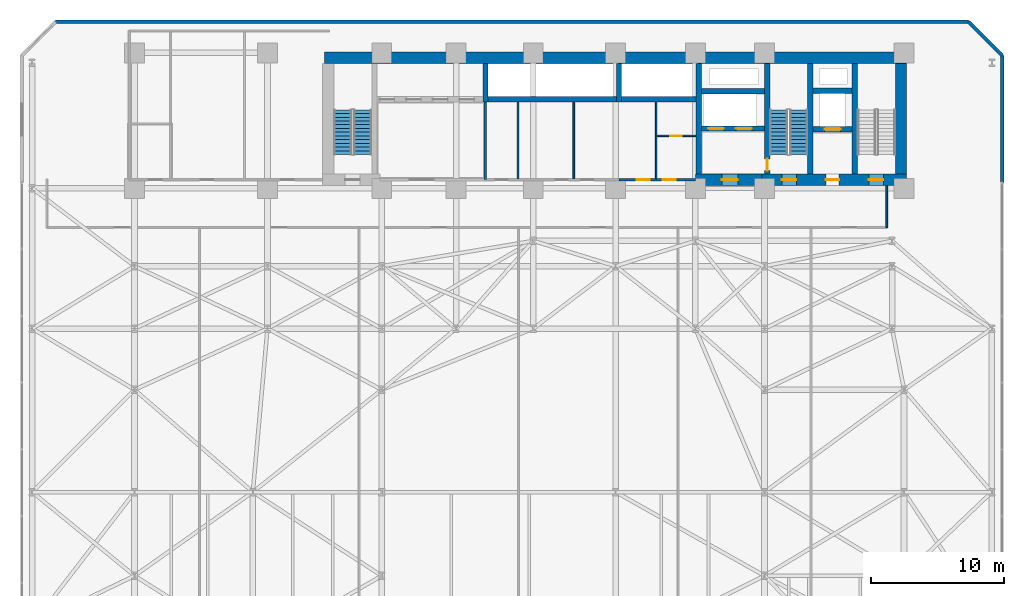
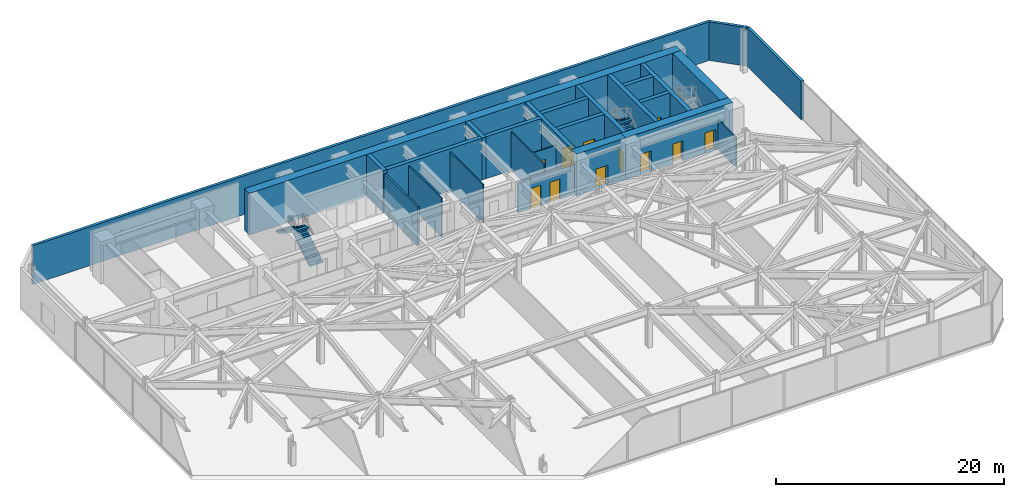
# One storey, part 27 of 30: 26 walls, 11 doors, 4 stair flights, 11 openings, 2 elements without a shape of their own.
"""IFC4 building model written with IfcOpenShell, lengths in metres."""

from ifc_helpers import new_model, si_unit, direction, frame, frame_2d, origin, place, context, subcontext, project, spatial, polyline, rectangle, outline, extrude, material, layer, layer_set, type_object, element, fill, aggregate, save


model = new_model("IFC4")

# Units and contexts
model_context = context("Model", 3, precision=1e-05, world=origin(), true_north=direction((0.0, 1.0)))
body_context = subcontext(model_context, "Body", "Model", "MODEL_VIEW")
ifc_project = project(units=[si_unit("LENGTHUNIT", "METRE"), si_unit("AREAUNIT", "SQUARE_METRE"), si_unit("VOLUMEUNIT", "CUBIC_METRE"), si_unit("PLANEANGLEUNIT", "RADIAN"), si_unit("MASSUNIT", "GRAM", prefix="KILO")], contexts=[model_context])

# Site, building, storey
site_placement = place(None, origin())
site = spatial("IfcSite", under=ifc_project, at=site_placement, CompositionType="ELEMENT")
building_placement = place(site_placement, origin())
building = spatial("IfcBuilding", under=site, at=building_placement, Name="Kravanh Interchange Tower", CompositionType="ELEMENT")
storey_placement = place(building_placement, frame((0.0, 0.0, 19.800048828125)))
storey = spatial("IfcBuildingStorey", under=building, at=storey_placement, Name="L04", CompositionType="ELEMENT", Elevation=19.800048828125)

# Wall
ifc_material_1 = material(Name="Double Acoustic Gypsum Board and Mineral Wool")
ifc_layer_1 = layer(ifc_material_1, 0.1201171875)
ifc_layer_set_1 = layer_set([ifc_layer_1], Name="Acoustic Office Drywall Partition 120mm")
wall_type_1 = type_object("IfcWallType", Name="Acoustic Office Drywall Partition 120mm", PredefinedType="PARTITIONING", material=ifc_layer_set_1)
wall_1_placement = place(storey_placement, frame((47.85009765625, 38.068115234375, 0.0), z_axis=(0.0, 0.0, 1.0), x_axis=(0.0, 1.0, 0.0)))
element("IfcWall", 1, at=wall_1_placement, inside=storey, type_object=wall_type_1, Name="L04 Interior Partition 2", PredefinedType="PARTITIONING", context=body_context, shape_type="SweptSolid", body=[
    extrude(rectangle(XDim=5.77392578125, YDim=0.1201171875, at=frame_2d((2.886962890625, 0.0))), origin(), (0.0, 0.0, 1.0), 4.14990234375),
])

# Wall, opening, door
wall_2_placement = place(storey_placement, frame((47.91796875, 41.300048828125, 0.0), z_axis=(0.0, 0.0, 1.0), x_axis=(1.0, 0.0, 0.0)))
wall_2 = element("IfcWall", 2, at=wall_2_placement, inside=storey, type_object=wall_type_1, Name="L04 Interior Partition 3", PredefinedType="PARTITIONING", context=body_context, shape_type="SweptSolid", body=[
    extrude(rectangle(XDim=2.924072265625, YDim=0.1201171875, at=frame_2d((1.4619140625, 0.0))), origin(), (0.0, 0.0, 1.0), 3.201904296875),
])
opening_1_placement = place(wall_2_placement, frame((0.9912109375, 0.0, 0.0)))
opening_1 = element("IfcOpeningElement", 3, at=opening_1_placement, cuts=wall_2, Name="Opening D-85", PredefinedType="OPENING", context=body_context, shape_type="SweptSolid", body=[
    extrude(rectangle(XDim=0.85009765625, YDim=2.10009765625, at=frame_2d((0.425048828125, 1.050048828125))), frame((0.0, 0.070068359375, 0.0), z_axis=(0.0, -1.0, 0.0), x_axis=(1.0, 0.0, 0.0)), (0.0, 0.0, 1.0), 0.14013671875),
])
ifc_material_2 = material(Name="Engineered Teak Veneer Timber", Category="wood")
door_type_1 = type_object("IfcDoorType", Name="En-Suite Timber Door 850x2100", OperationType="NOTDEFINED", PredefinedType="DOOR", material=ifc_material_2)
door_1_placement = place(opening_1_placement, origin())
door_1 = element("IfcDoor", 4, at=door_1_placement, inside=storey, type_object=door_type_1, Name="L04 Core Supply Inner Door", OperationType="SINGLE_SWING_LEFT", OverallHeight=2.10009765625, OverallWidth=0.85009765625, PredefinedType="DOOR", context=body_context, shape_type="SweptSolid", body=[
    extrude(rectangle(XDim=0.85009765625, YDim=2.10009765625, at=frame_2d((0.425048828125, 1.050048828125))), frame((0.0, 0.02490234375, 0.0), z_axis=(0.0, -1.0, 0.0), x_axis=(1.0, 0.0, 0.0)), (0.0, 0.0, 1.0), 0.050048828125),
])
fill(opening_1, door_1)

# Walls
for number, where, z_axis, x_axis, name in (
    (5, (37.449951171875, 38.068115234375, 0.0), (0.0, 0.0, 1.0), (0.0, 1.0, 0.0), "L04 Interior Partition 7"),
    (6, (41.64990234375, 38.068115234375, 0.0), (0.0, 0.0, 1.0), (0.0, 1.0, 0.0), "L04 Interior Partition 8"),
):
    element("IfcWall", number, at=place(storey_placement, frame(where, z_axis=z_axis, x_axis=x_axis)), inside=storey, type_object=wall_type_1, Name=name, PredefinedType="PARTITIONING", context=body_context, shape_type="SweptSolid", body=[
        extrude(rectangle(XDim=5.77392578125, YDim=0.1201171875, at=frame_2d((2.886962890625, 0.0))), origin(), (0.0, 0.0, 1.0), 4.14990234375),
    ])
wall_3_placement = place(storey_placement, frame((65.199951171875, 34.39990234375, 0.0), z_axis=(0.0, 0.0, 1.0), x_axis=(0.0, 1.0, 0.0)))
element("IfcWall", 7, at=wall_3_placement, inside=storey, type_object=wall_type_1, Name="L04 Interior Partition 11", PredefinedType="PARTITIONING", context=body_context, shape_type="SweptSolid", body=[
    extrude(rectangle(XDim=3.1669921875, YDim=0.1201171875, at=frame_2d((1.58349609375, 0.0))), origin(), (0.0, 0.0, 1.0), 3.201904296875),
])
ifc_material_3 = material(Name="Concrete C80/95", Category="concrete")
ifc_layer_2 = layer(ifc_material_3, 0.39990234375)
ifc_layer_set_2 = layer_set([ifc_layer_2], Name="Core Shear Wall Concrete C80/95 400mm")
wall_type_2 = type_object("IfcWallType", Name="Core Shear Wall Concrete C80/95 400mm", PredefinedType="SHEAR", material=ifc_layer_set_2)
for number, where, z_axis, x_axis, name in (
    (8, (62.800048828125, 38.425048828125, 0.0), (0.0, 0.0, 1.0), (0.0, 1.0, 0.0), "L04 Stair ST1 West Shear Wall"),
    (9, (59.449951171875, 38.425048828125, 0.0), (0.0, 0.0, 1.0), (0.0, 1.0, 0.0), "L04 Stair ST2 East Shear Wall"),
):
    element("IfcWall", number, at=place(storey_placement, frame(where, z_axis=z_axis, x_axis=x_axis)), inside=storey, type_object=wall_type_2, Name=name, PredefinedType="SHEAR", context=body_context, shape_type="SweptSolid", body=[
        extrude(rectangle(XDim=8.324951171875, YDim=0.39990234375, at=frame_2d((4.16259765625, 0.0))), origin(), (0.0, 0.0, 1.0), 4.5),
    ])

# Wall, opening, door
wall_4_placement = place(storey_placement, frame((56.199951171875, 38.425048828125, 0.0), z_axis=(0.0, 0.0, 1.0), x_axis=(0.0, 1.0, 0.0)))
wall_4 = element("IfcWall", 10, at=wall_4_placement, inside=storey, type_object=wall_type_2, Name="L04 Stair ST2 West Shear Wall", PredefinedType="SHEAR", context=body_context, shape_type="SweptSolid", body=[
    extrude(rectangle(XDim=8.324951171875, YDim=0.39990234375, at=frame_2d((4.16259765625, 0.0))), origin(), (0.0, 0.0, 1.0), 4.5),
])
opening_2_placement = place(wall_4_placement, frame((0.2548828125, 0.0, 0.0)))
opening_2 = element("IfcOpeningElement", 11, at=opening_2_placement, cuts=wall_4, Name="Opening D-STAIR-90", PredefinedType="OPENING", context=body_context, shape_type="SweptSolid", body=[
    extrude(rectangle(XDim=0.89990234375, YDim=2.14990234375, at=frame_2d((0.449951171875, 1.074951171875))), frame((0.0, 0.2099609375, 0.0), z_axis=(0.0, -1.0, 0.0), x_axis=(1.0, 0.0, 0.0)), (0.0, 0.0, 1.0), 0.419921875),
])
ifc_material_4 = material(Name="Structural Steel S355", Category="steel")
door_type_2 = type_object("IfcDoorType", Name="Fire-Rated Stair Lobby Door 900x2150", OperationType="NOTDEFINED", PredefinedType="DOOR", material=ifc_material_4)
door_2_placement = place(opening_2_placement, origin())
door_2 = element("IfcDoor", 12, at=door_2_placement, inside=storey, type_object=door_type_2, Name="L04 Firefighting Lobby to Stair ST2 Door", OperationType="SINGLE_SWING_LEFT", OverallHeight=2.14990234375, OverallWidth=0.89990234375, PredefinedType="DOOR", context=body_context, shape_type="SweptSolid", body=[
    extrude(rectangle(XDim=0.89990234375, YDim=2.14990234375, at=frame_2d((0.449951171875, 1.074951171875))), frame((0.0, 0.02490234375, 0.0), z_axis=(0.0, -1.0, 0.0), x_axis=(1.0, 0.0, 0.0)), (0.0, 0.0, 1.0), 0.050048828125),
])
fill(opening_2, door_2)

wall_5_placement = place(storey_placement, frame((59.64990234375, 41.800048828125, 0.0), z_axis=(0.0, 0.0, 1.0), x_axis=(1.0, 0.0, 0.0)))
wall_5 = element("IfcWall", 13, at=wall_5_placement, inside=storey, type_object=wall_type_2, Name="L04 Service Lift Shaft South Wall", PredefinedType="SHEAR", context=body_context, shape_type="SweptSolid", body=[
    extrude(rectangle(XDim=2.9501953125, YDim=0.39990234375, at=frame_2d((1.47509765625, 0.0))), origin(), (0.0, 0.0, 1.0), 4.5),
])
opening_3_placement = place(wall_5_placement, frame((0.8701171875, 0.0, 0.0)))
opening_3 = element("IfcOpeningElement", 14, at=opening_3_placement, cuts=wall_5, Name="Opening LD02", PredefinedType="OPENING", context=body_context, shape_type="SweptSolid", body=[
    extrude(rectangle(XDim=1.199951171875, YDim=2.199951171875, at=frame_2d((0.60009765625, 1.10009765625))), frame((0.0, 0.2099609375, 0.0), z_axis=(0.0, -1.0, 0.0), x_axis=(1.0, 0.0, 0.0)), (0.0, 0.0, 1.0), 0.419921875),
])
ifc_material_5 = material(Name="Stainless Steel 316", Category="steel")
door_type_3 = type_object("IfcDoorType", Name="Fire and Service Lift Sliding Landing Door 1200x2200", OperationType="DOUBLE_DOOR_SLIDING", PredefinedType="DOOR", material=ifc_material_5)
door_3_placement = place(opening_3_placement, origin())
door_3 = element("IfcDoor", 15, at=door_3_placement, inside=storey, type_object=door_type_3, Name="L04 Lift LS-01 Landing Door", OperationType="DOUBLE_DOOR_SLIDING", OverallHeight=2.199951171875, OverallWidth=1.199951171875, PredefinedType="DOOR", context=body_context, shape_type="SweptSolid", body=[
    extrude(rectangle(XDim=1.199951171875, YDim=2.199951171875, at=frame_2d((0.60009765625, 1.10009765625))), frame((0.0, 0.02490234375, 0.0), z_axis=(0.0, -1.0, 0.0), x_axis=(1.0, 0.0, 0.0)), (0.0, 0.0, 1.0), 0.050048828125),
])
fill(opening_3, door_3)

# Wall
wall_6_placement = place(storey_placement, frame((59.64990234375, 44.699951171875, 0.0), z_axis=(0.0, 0.0, 1.0), x_axis=(1.0, 0.0, 0.0)))
element("IfcWall", 16, at=wall_6_placement, inside=storey, type_object=wall_type_2, Name="L04 Service Lift Shaft North Wall", PredefinedType="SHEAR", context=body_context, shape_type="SweptSolid", body=[
    extrude(rectangle(XDim=2.9501953125, YDim=0.39990234375, at=frame_2d((1.47509765625, 0.0))), origin(), (0.0, 0.0, 1.0), 4.5),
])

# Wall, openings, doors
wall_7_placement = place(storey_placement, frame((51.25, 41.85009765625, 0.0), z_axis=(0.0, 0.0, 1.0), x_axis=(1.0, 0.0, 0.0)))
wall_7 = element("IfcWall", 17, at=wall_7_placement, inside=storey, type_object=wall_type_2, Name="L04 Fire Lift Shaft South Wall", PredefinedType="SHEAR", context=body_context, shape_type="SweptSolid", body=[
    extrude(rectangle(XDim=4.75, YDim=0.39990234375, at=frame_2d((2.375, 0.0))), origin(), (0.0, 0.0, 1.0), 4.5),
])
opening_4_placement = place(wall_7_placement, frame((0.5, 0.0, 0.0)))
opening_4 = element("IfcOpeningElement", 18, at=opening_4_placement, cuts=wall_7, Name="Opening LD02", PredefinedType="OPENING", context=body_context, shape_type="SweptSolid", body=[
    extrude(rectangle(XDim=1.199951171875, YDim=2.199951171875, at=frame_2d((0.60009765625, 1.10009765625))), frame((0.0, 0.2099609375, 0.0), z_axis=(0.0, -1.0, 0.0), x_axis=(1.0, 0.0, 0.0)), (0.0, 0.0, 1.0), 0.419921875),
])
opening_5_placement = place(wall_7_placement, frame((2.60009765625, 0.0, 0.0)))
opening_5 = element("IfcOpeningElement", 19, at=opening_5_placement, cuts=wall_7, Name="Opening LD02", PredefinedType="OPENING", context=body_context, shape_type="SweptSolid", body=[
    extrude(rectangle(XDim=1.199951171875, YDim=2.199951171875, at=frame_2d((0.60009765625, 1.10009765625))), frame((0.0, 0.2099609375, 0.0), z_axis=(0.0, -1.0, 0.0), x_axis=(1.0, 0.0, 0.0)), (0.0, 0.0, 1.0), 0.419921875),
])
door_4_placement = place(opening_4_placement, origin())
door_4 = element("IfcDoor", 20, at=door_4_placement, inside=storey, type_object=door_type_3, Name="L04 Lift FSAE-01 Landing Door", OperationType="DOUBLE_DOOR_SLIDING", OverallHeight=2.199951171875, OverallWidth=1.199951171875, PredefinedType="DOOR", context=body_context, shape_type="SweptSolid", body=[
    extrude(rectangle(XDim=1.199951171875, YDim=2.199951171875, at=frame_2d((0.60009765625, 1.10009765625))), frame((0.0, 0.02490234375, 0.0), z_axis=(0.0, -1.0, 0.0), x_axis=(1.0, 0.0, 0.0)), (0.0, 0.0, 1.0), 0.050048828125),
])
fill(opening_4, door_4)
door_5_placement = place(opening_5_placement, origin())
door_5 = element("IfcDoor", 21, at=door_5_placement, inside=storey, type_object=door_type_3, Name="L04 Lift FSAE-02 Landing Door", OperationType="DOUBLE_DOOR_SLIDING", OverallHeight=2.199951171875, OverallWidth=1.199951171875, PredefinedType="DOOR", context=body_context, shape_type="SweptSolid", body=[
    extrude(rectangle(XDim=1.199951171875, YDim=2.199951171875, at=frame_2d((0.60009765625, 1.10009765625))), frame((0.0, 0.02490234375, 0.0), z_axis=(0.0, -1.0, 0.0), x_axis=(1.0, 0.0, 0.0)), (0.0, 0.0, 1.0), 0.050048828125),
])
fill(opening_5, door_5)

# Walls
wall_8_placement = place(storey_placement, frame((51.25, 44.64990234375, 0.0), z_axis=(0.0, 0.0, 1.0), x_axis=(1.0, 0.0, 0.0)))
element("IfcWall", 22, at=wall_8_placement, inside=storey, type_object=wall_type_2, Name="L04 Fire Lift Shaft North Wall", PredefinedType="SHEAR", context=body_context, shape_type="SweptSolid", body=[
    extrude(rectangle(XDim=4.75, YDim=0.39990234375, at=frame_2d((2.375, 0.0))), origin(), (0.0, 0.0, 1.0), 4.5),
])
wall_9_placement = place(storey_placement, frame((51.050048828125, 38.425048828125, 0.0), z_axis=(0.0, 0.0, 1.0), x_axis=(0.0, 1.0, 0.0)))
element("IfcWall", 23, at=wall_9_placement, inside=storey, type_object=wall_type_2, Name="L04 Firefighting Lobby West Wall", PredefinedType="SHEAR", context=body_context, shape_type="SweptSolid", body=[
    extrude(rectangle(XDim=8.324951171875, YDim=0.39990234375, at=frame_2d((4.16259765625, 0.0))), origin(), (0.0, 0.0, 1.0), 4.5),
])
wall_10_placement = place(storey_placement, frame((45.25, 44.050048828125, 0.0), z_axis=(0.0, 0.0, 1.0), x_axis=(1.0, 0.0, 0.0)))
element("IfcWall", 24, at=wall_10_placement, inside=storey, type_object=wall_type_2, Name="L04 High-Rise Lift Shaft South Wall", PredefinedType="SHEAR", context=body_context, shape_type="SweptSolid", body=[
    extrude(rectangle(XDim=5.60009765625, YDim=0.39990234375, at=frame_2d((2.800048828125, 0.0))), origin(), (0.0, 0.0, 1.0), 4.5),
])
wall_11_placement = place(storey_placement, frame((45.050048828125, 43.85009765625, 0.0), z_axis=(0.0, 0.0, 1.0), x_axis=(0.0, 1.0, 0.0)))
element("IfcWall", 25, at=wall_11_placement, inside=storey, type_object=wall_type_2, Name="L04 High-Rise Lift Shaft West Wall", PredefinedType="SHEAR", context=body_context, shape_type="SweptSolid", body=[
    extrude(rectangle(XDim=2.89990234375, YDim=0.39990234375, at=frame_2d((1.449951171875, 0.0))), origin(), (0.0, 0.0, 1.0), 4.5),
])
wall_12_placement = place(storey_placement, frame((35.199951171875, 44.050048828125, 0.0), z_axis=(0.0, 0.0, 1.0), x_axis=(1.0, 0.0, 0.0)))
element("IfcWall", 26, at=wall_12_placement, inside=storey, type_object=wall_type_2, Name="L04 Mid-Rise Lift Shaft South Wall", PredefinedType="SHEAR", context=body_context, shape_type="SweptSolid", body=[
    extrude(rectangle(XDim=9.650146484375, YDim=0.39990234375, at=frame_2d((4.8251953125, 0.0))), origin(), (0.0, 0.0, 1.0), 4.5),
])
wall_13_placement = place(storey_placement, frame((35.0, 43.85009765625, 0.0), z_axis=(0.0, 0.0, 1.0), x_axis=(0.0, 1.0, 0.0)))
element("IfcWall", 27, at=wall_13_placement, inside=storey, type_object=wall_type_2, Name="L04 Mid-Rise Lift Shaft West Wall", PredefinedType="SHEAR", context=body_context, shape_type="SweptSolid", body=[
    extrude(rectangle(XDim=2.89990234375, YDim=0.39990234375, at=frame_2d((1.449951171875, 0.0))), origin(), (0.0, 0.0, 1.0), 4.5),
])
ifc_material_6 = material(Name="Concrete C80/95", Category="concrete")
ifc_layer_3 = layer(ifc_material_6, 0.85009765625)
ifc_layer_set_3 = layer_set([ifc_layer_3], Name="Core Shear Wall Concrete C80/95 850mm")
wall_type_3 = type_object("IfcWallType", Name="Core Shear Wall Concrete C80/95 850mm", PredefinedType="SHEAR", material=ifc_layer_set_3)
wall_14_placement = place(storey_placement, frame((22.89990234375, 47.175048828125, 0.0), z_axis=(0.0, 0.0, 1.0), x_axis=(1.0, 0.0, 0.0)))
element("IfcWall", 28, at=wall_14_placement, inside=storey, type_object=wall_type_3, Name="L04 North Core Shear Wall", PredefinedType="SHEAR", context=body_context, shape_type="SweptSolid", body=[
    extrude(rectangle(XDim=43.800048828125, YDim=0.85009765625, at=frame_2d((21.89990234375, 0.0))), origin(), (0.0, 0.0, 1.0), 4.5),
])

# Wall, openings, doors
wall_15_placement = place(storey_placement, frame((55.800048828125, 38.0, 0.0), z_axis=(0.0, 0.0, 1.0), x_axis=(1.0, 0.0, 0.0)))
wall_15 = element("IfcWall", 29, at=wall_15_placement, inside=storey, type_object=wall_type_3, Name="L04 East Core South Shear Wall", PredefinedType="SHEAR", context=body_context, shape_type="SweptSolid", body=[
    extrude(rectangle(XDim=10.89990234375, YDim=0.85009765625, at=frame_2d((5.449951171875, 0.0))), origin(), (0.0, 0.0, 1.0), 4.5),
])
opening_6_placement = place(wall_15_placement, frame((1.5, 0.0, 0.0)))
opening_6 = element("IfcOpeningElement", 30, at=opening_6_placement, cuts=wall_15, Name="Opening D-STAIR-110", PredefinedType="OPENING", context=body_context, shape_type="SweptSolid", body=[
    extrude(rectangle(XDim=1.10009765625, YDim=2.199951171875, at=frame_2d((0.550048828125, 1.10009765625))), frame((0.0, 0.43505859375, 0.0), z_axis=(0.0, -1.0, 0.0), x_axis=(1.0, 0.0, 0.0)), (0.0, 0.0, 1.0), 0.8701171875),
])
opening_7_placement = place(wall_15_placement, frame((4.820068359375, 0.0, 0.0)))
opening_7 = element("IfcOpeningElement", 31, at=opening_7_placement, cuts=wall_15, Name="Opening D-HOTEL-100", PredefinedType="OPENING", context=body_context, shape_type="SweptSolid", body=[
    extrude(rectangle(XDim=1.0, YDim=2.14990234375, at=frame_2d((0.5, 1.074951171875))), frame((0.0, 0.43505859375, 0.0), z_axis=(0.0, -1.0, 0.0), x_axis=(1.0, 0.0, 0.0)), (0.0, 0.0, 1.0), 0.8701171875),
])
opening_8_placement = place(wall_15_placement, frame((8.050048828125, 0.0, 0.0)))
opening_8 = element("IfcOpeningElement", 32, at=opening_8_placement, cuts=wall_15, Name="Opening D-STAIR-110", PredefinedType="OPENING", context=body_context, shape_type="SweptSolid", body=[
    extrude(rectangle(XDim=1.10009765625, YDim=2.199951171875, at=frame_2d((0.550048828125, 1.10009765625))), frame((0.0, 0.43505859375, 0.0), z_axis=(0.0, -1.0, 0.0), x_axis=(1.0, 0.0, 0.0)), (0.0, 0.0, 1.0), 0.8701171875),
])
ifc_material_7 = material(Name="Structural Steel S355", Category="steel")
door_type_4 = type_object("IfcDoorType", Name="Fire-Rated Exit Stair Door 1100x2200", OperationType="NOTDEFINED", PredefinedType="DOOR", material=ifc_material_7)
door_6_placement = place(opening_6_placement, origin())
door_6 = element("IfcDoor", 33, at=door_6_placement, inside=storey, type_object=door_type_4, Name="L04 Exit Stair ST2 Door", OperationType="SINGLE_SWING_RIGHT", OverallHeight=2.199951171875, OverallWidth=1.10009765625, PredefinedType="DOOR", context=body_context, shape_type="SweptSolid", body=[
    extrude(rectangle(XDim=1.10009765625, YDim=2.199951171875, at=frame_2d((0.550048828125, 1.10009765625))), frame((0.0, 0.02490234375, 0.0), z_axis=(0.0, -1.0, 0.0), x_axis=(1.0, 0.0, 0.0)), (0.0, 0.0, 1.0), 0.050048828125),
])
fill(opening_6, door_6)
door_7_placement = place(opening_8_placement, origin())
door_7 = element("IfcDoor", 34, at=door_7_placement, inside=storey, type_object=door_type_4, Name="L04 Exit Stair ST1 Door", OperationType="SINGLE_SWING_RIGHT", OverallHeight=2.199951171875, OverallWidth=1.10009765625, PredefinedType="DOOR", context=body_context, shape_type="SweptSolid", body=[
    extrude(rectangle(XDim=1.10009765625, YDim=2.199951171875, at=frame_2d((0.550048828125, 1.10009765625))), frame((0.0, 0.02490234375, 0.0), z_axis=(0.0, -1.0, 0.0), x_axis=(1.0, 0.0, 0.0)), (0.0, 0.0, 1.0), 0.050048828125),
])
fill(opening_8, door_7)
ifc_material_8 = material(Name="Fire-Rated Solid Timber Leaf", Category="wood")
door_type_5 = type_object("IfcDoorType", Name="Fire-Rated Suite Entrance Door 1000x2150", OperationType="NOTDEFINED", PredefinedType="DOOR", material=ifc_material_8)
door_8_placement = place(opening_7_placement, origin())
door_8 = element("IfcDoor", 35, at=door_8_placement, inside=storey, type_object=door_type_5, Name="L04 Service Lift Lobby Door", OperationType="SINGLE_SWING_RIGHT", OverallHeight=2.14990234375, OverallWidth=1.0, PredefinedType="DOOR", context=body_context, shape_type="SweptSolid", body=[
    extrude(rectangle(XDim=1.0, YDim=2.14990234375, at=frame_2d((0.5, 1.074951171875))), frame((0.0, 0.02490234375, 0.0), z_axis=(0.0, -1.0, 0.0), x_axis=(1.0, 0.0, 0.0)), (0.0, 0.0, 1.0), 0.050048828125),
])
fill(opening_7, door_8)

# Wall
wall_16_placement = place(storey_placement, frame((66.27490234375, 38.425048828125, 0.0), z_axis=(0.0, 0.0, 1.0), x_axis=(0.0, 1.0, 0.0)))
element("IfcWall", 36, at=wall_16_placement, inside=storey, type_object=wall_type_3, Name="L04 Stair ST1 East Shear Wall", PredefinedType="SHEAR", context=body_context, shape_type="SweptSolid", body=[
    extrude(rectangle(XDim=8.324951171875, YDim=0.85009765625, at=frame_2d((4.16259765625, 0.0))), origin(), (0.0, 0.0, 1.0), 4.5),
])

# Wall, opening, door
wall_17_placement = place(storey_placement, frame((50.800048828125, 38.0, 0.0), z_axis=(0.0, 0.0, 1.0), x_axis=(1.0, 0.0, 0.0)))
wall_17 = element("IfcWall", 37, at=wall_17_placement, inside=storey, type_object=wall_type_3, Name="L04 Firefighting Lobby South Shear Wall", PredefinedType="SHEAR", context=body_context, shape_type="SweptSolid", body=[
    extrude(rectangle(XDim=5.0, YDim=0.85009765625, at=frame_2d((2.5, 0.0))), origin(), (0.0, 0.0, 1.0), 4.5),
])
opening_9_placement = place(wall_17_placement, frame((2.0, 0.0, 0.0)))
opening_9 = element("IfcOpeningElement", 38, at=opening_9_placement, cuts=wall_17, Name="Opening D-FSAE-120", PredefinedType="OPENING", context=body_context, shape_type="SweptSolid", body=[
    extrude(rectangle(XDim=1.199951171875, YDim=2.199951171875, at=frame_2d((0.60009765625, 1.10009765625))), frame((0.0, 0.43505859375, 0.0), z_axis=(0.0, -1.0, 0.0), x_axis=(1.0, 0.0, 0.0)), (0.0, 0.0, 1.0), 0.8701171875),
])
ifc_material_9 = material(Name="Structural Steel S355", Category="steel")
door_type_6 = type_object("IfcDoorType", Name="Fire-Rated Refuge and FSAE Door 1200x2200", OperationType="NOTDEFINED", PredefinedType="DOOR", material=ifc_material_9)
door_9_placement = place(opening_9_placement, origin())
door_9 = element("IfcDoor", 39, at=door_9_placement, inside=storey, type_object=door_type_6, Name="L04 Firefighting Lobby Corridor Door", OperationType="SINGLE_SWING_RIGHT", OverallHeight=2.199951171875, OverallWidth=1.199951171875, PredefinedType="DOOR", context=body_context, shape_type="SweptSolid", body=[
    extrude(rectangle(XDim=1.199951171875, YDim=2.199951171875, at=frame_2d((0.60009765625, 1.10009765625))), frame((0.0, 0.02490234375, 0.0), z_axis=(0.0, -1.0, 0.0), x_axis=(1.0, 0.0, 0.0)), (0.0, 0.0, 1.0), 0.050048828125),
])
fill(opening_9, door_9)

# Walls
ifc_material_10 = material(Name="Insulated Precast Concrete C40/50 with Bronze Cladding", Category="concrete")
ifc_layer_4 = layer(ifc_material_10, 0.280029296875)
ifc_layer_set_4 = layer_set([ifc_layer_4], Name="Exterior Insulated Concrete C40/50 Bronze Spandrel Wall 280mm")
wall_type_4 = type_object("IfcWallType", Name="Exterior Insulated Concrete C40/50 Bronze Spandrel Wall 280mm", PredefinedType="STANDARD", material=ifc_layer_set_4)
wall_18_placement = place(storey_placement, frame((2.649658203125, 49.8798828125, 0.0), z_axis=(0.0, 0.0, 1.0), x_axis=(1.0, 0.0, 0.0)))
element("IfcWall", 40, at=wall_18_placement, inside=storey, type_object=wall_type_4, Name="L04 Exterior Wall 3", PredefinedType="STANDARD", context=body_context, shape_type="SweptSolid", body=[
    extrude(rectangle(XDim=68.70068359375, YDim=0.280029296875, at=frame_2d((34.350341796875, 0.0))), origin(), (0.0, 0.0, 1.0), 4.14990234375),
])
wall_19_placement = place(storey_placement, frame((71.350341796875, 49.8798828125, 0.0), z_axis=(0.0, 0.0, 1.0), x_axis=(0.707106781187, -0.707106781187, 0.0)))
element("IfcWall", 41, at=wall_19_placement, inside=storey, type_object=wall_type_4, Name="L04 Exterior Wall 4", PredefinedType="STANDARD", context=body_context, shape_type="SweptSolid", body=[
    extrude(rectangle(XDim=3.577392578125, YDim=0.280029296875, at=frame_2d((1.78857421875, 0.0))), origin(), (0.0, 0.0, 1.0), 4.14990234375),
])
wall_20_placement = place(storey_placement, frame((73.8798828125, 47.350341796875, 0.0), z_axis=(0.0, 0.0, 1.0), x_axis=(0.0, -1.0, 0.0)))
element("IfcWall", 42, at=wall_20_placement, inside=storey, type_object=wall_type_4, Name="L04 Exterior Wall 5", PredefinedType="STANDARD", context=body_context, shape_type="SweptSolid", body=[
    extrude(rectangle(XDim=9.55029296875, YDim=0.280029296875, at=frame_2d((4.775146484375, 0.0))), origin(), (0.0, 0.0, 1.0), 4.14990234375),
])

# Wall, openings, doors
ifc_material_11 = material(Name="Autoclaved Aerated Concrete C30/37 Blockwork", Category="masonry")
ifc_layer_5 = layer(ifc_material_11, 0.179931640625)
ifc_layer_set_5 = layer_set([ifc_layer_5], Name="Fire-Rated Lobby and Corridor Wall Concrete C30/37 180mm")
wall_type_5 = type_object("IfcWallType", Name="Fire-Rated Lobby and Corridor Wall Concrete C30/37 180mm", PredefinedType="STANDARD", material=ifc_layer_set_5)
wall_21_placement = place(storey_placement, frame((45.050048828125, 38.0, 0.0), z_axis=(0.0, 0.0, 1.0), x_axis=(1.0, 0.0, 0.0)))
wall_21 = element("IfcWall", 43, at=wall_21_placement, inside=storey, type_object=wall_type_5, Name="L04 Core South Enclosure 1", PredefinedType="STANDARD", context=body_context, shape_type="SweptSolid", body=[
    extrude(rectangle(XDim=5.75, YDim=0.179931640625, at=frame_2d((2.875, 0.0))), origin(), (0.0, 0.0, 1.0), 3.201904296875),
])
opening_10_placement = place(wall_21_placement, frame((1.324951171875, 0.0, 0.0)))
opening_10 = element("IfcOpeningElement", 44, at=opening_10_placement, cuts=wall_21, Name="Opening D-HOTEL-100", PredefinedType="OPENING", context=body_context, shape_type="SweptSolid", body=[
    extrude(rectangle(XDim=1.0, YDim=2.14990234375, at=frame_2d((0.5, 1.074951171875))), frame((0.0, 0.10009765625, 0.0), z_axis=(0.0, -1.0, 0.0), x_axis=(1.0, 0.0, 0.0)), (0.0, 0.0, 1.0), 0.199951171875),
])
opening_11_placement = place(wall_21_placement, frame((3.27490234375, 0.0, 0.0)))
opening_11 = element("IfcOpeningElement", 45, at=opening_11_placement, cuts=wall_21, Name="Opening D-HOTEL-100", PredefinedType="OPENING", context=body_context, shape_type="SweptSolid", body=[
    extrude(rectangle(XDim=1.0, YDim=2.14990234375, at=frame_2d((0.5, 1.074951171875))), frame((0.0, 0.10009765625, 0.0), z_axis=(0.0, -1.0, 0.0), x_axis=(1.0, 0.0, 0.0)), (0.0, 0.0, 1.0), 0.199951171875),
])
door_10_placement = place(opening_10_placement, origin())
door_10 = element("IfcDoor", 46, at=door_10_placement, inside=storey, type_object=door_type_5, Name="L04 Core Metering Door", OperationType="SINGLE_SWING_LEFT", OverallHeight=2.14990234375, OverallWidth=1.0, PredefinedType="DOOR", context=body_context, shape_type="SweptSolid", body=[
    extrude(rectangle(XDim=1.0, YDim=2.14990234375, at=frame_2d((0.5, 1.074951171875))), frame((0.0, 0.02490234375, 0.0), z_axis=(0.0, -1.0, 0.0), x_axis=(1.0, 0.0, 0.0)), (0.0, 0.0, 1.0), 0.050048828125),
])
fill(opening_10, door_10)
door_11_placement = place(opening_11_placement, origin())
door_11 = element("IfcDoor", 47, at=door_11_placement, inside=storey, type_object=door_type_5, Name="L04 Core Copy Room Door", OperationType="SINGLE_SWING_RIGHT", OverallHeight=2.14990234375, OverallWidth=1.0, PredefinedType="DOOR", context=body_context, shape_type="SweptSolid", body=[
    extrude(rectangle(XDim=1.0, YDim=2.14990234375, at=frame_2d((0.5, 1.074951171875))), frame((0.0, 0.02490234375, 0.0), z_axis=(0.0, -1.0, 0.0), x_axis=(1.0, 0.0, 0.0)), (0.0, 0.0, 1.0), 0.050048828125),
])
fill(opening_11, door_11)

# Wall
wall_22_placement = place(storey_placement, frame((35.0, 38.0, 0.0), z_axis=(0.0, 0.0, 1.0), x_axis=(0.0, 1.0, 0.0)))
element("IfcWall", 48, at=wall_22_placement, inside=storey, type_object=wall_type_5, Name="L04 Low-Rise Lobby East Wall 4", PredefinedType="STANDARD", context=body_context, shape_type="SweptSolid", body=[
    extrude(rectangle(XDim=5.85009765625, YDim=0.179931640625, at=frame_2d((2.925048828125, 0.0))), origin(), (0.0, 0.0, 1.0), 4.14990234375),
])

# Stair, stair flights
ifc_material_12 = material(Name="Concrete C50/60", Category="concrete")
stair_type = type_object("IfcStairType", Name="Core Fire Exit Dogleg Stair Concrete C50/60", PredefinedType="HALF_TURN_STAIR", material=ifc_material_12)
stair_1_placement = place(storey_placement, origin())
stair_1 = element("IfcStair", 49, at=stair_1_placement, inside=storey, type_object=stair_type, Name="L04 Exit Stair ST2", PredefinedType="HALF_TURN_STAIR")
ifc_material_13 = material(Name="Precast Concrete C50/60", Category="concrete")
ifc_layer_6 = layer(ifc_material_13, 0.199951171875)
ifc_layer_set_6 = layer_set([ifc_layer_6], Name="Precast Concrete C50/60 Stair Flight 1350mm")
stair_flight_type = type_object("IfcStairFlightType", Name="Precast Concrete C50/60 Stair Flight 1350mm", PredefinedType="STRAIGHT", material=ifc_layer_set_6)
stair_flight_1_placement = place(storey_placement, frame((58.574951171875, 39.89990234375, 0.0), z_axis=(0.0, 0.0, 1.0), x_axis=(0.0, 1.0, 0.0)))
stair_flight_1 = element("IfcStairFlight", 50, at=stair_flight_1_placement, type_object=stair_flight_type, Name="ST2 flight 1", NumberOfRisers=13, NumberOfTreads=12, PredefinedType="STRAIGHT", RiserHeight=0.173076923, TreadLength=0.28, context=body_context, shape_type="SweptSolid", body=[
    extrude(outline(polyline([(0.0, 0.0), (0.0, 0.173095703125), (0.280029296875, 0.173095703125), (0.280029296875, 0.34619140625), (0.56005859375, 0.34619140625), (0.56005859375, 0.519287109375), (0.840087890625, 0.519287109375), (0.840087890625, 0.6923828125), (1.1201171875, 0.6923828125), (1.1201171875, 0.865478515625), (1.39990234375, 0.865478515625), (1.39990234375, 1.03857421875), (1.679931640625, 1.03857421875), (1.679931640625, 1.21142578125), (1.9599609375, 1.21142578125), (1.9599609375, 1.384521484375), (2.239990234375, 1.384521484375), (2.239990234375, 1.5576171875), (2.52001953125, 1.5576171875), (2.52001953125, 1.730712890625), (2.800048828125, 1.730712890625), (2.800048828125, 1.90380859375), (3.080078125, 1.90380859375), (3.080078125, 2.076904296875), (3.360107421875, 2.076904296875), (3.360107421875, 2.25), (3.360107421875, 1.900634765625), (0.28515625, 0.0), (0.0, 0.0)])), frame((0.0, 0.675048828125, 0.0), z_axis=(0.0, -1.0, 0.0), x_axis=(1.0, 0.0, 0.0)), (0.0, 0.0, 1.0), 1.35009765625),
])
stair_flight_2_placement = place(storey_placement, frame((57.074951171875, 43.260009765625, 2.25), z_axis=(0.0, 0.0, 1.0), x_axis=(0.0, -1.0, 0.0)))
stair_flight_2 = element("IfcStairFlight", 51, at=stair_flight_2_placement, type_object=stair_flight_type, Name="ST2 flight 2", NumberOfRisers=13, NumberOfTreads=12, PredefinedType="STRAIGHT", RiserHeight=0.173076923, TreadLength=0.28, context=body_context, shape_type="SweptSolid", body=[
    extrude(outline(polyline([(0.0, 0.0), (0.0, 0.173095703125), (0.280029296875, 0.173095703125), (0.280029296875, 0.34619140625), (0.56005859375, 0.34619140625), (0.56005859375, 0.519287109375), (0.840087890625, 0.519287109375), (0.840087890625, 0.6923828125), (1.1201171875, 0.6923828125), (1.1201171875, 0.865478515625), (1.39990234375, 0.865478515625), (1.39990234375, 1.03857421875), (1.679931640625, 1.03857421875), (1.679931640625, 1.21142578125), (1.9599609375, 1.21142578125), (1.9599609375, 1.384521484375), (2.239990234375, 1.384521484375), (2.239990234375, 1.5576171875), (2.52001953125, 1.5576171875), (2.52001953125, 1.730712890625), (2.800048828125, 1.730712890625), (2.800048828125, 1.90380859375), (3.080078125, 1.90380859375), (3.080078125, 2.076904296875), (3.360107421875, 2.076904296875), (3.360107421875, 2.25), (3.360107421875, 1.900634765625), (0.28515625, 0.0), (0.0, 0.0)])), frame((0.0, 0.675048828125, 0.0), z_axis=(0.0, -1.0, 0.0), x_axis=(1.0, 0.0, 0.0)), (0.0, 0.0, 1.0), 1.35009765625),
])
aggregate(stair_1, [stair_flight_1, stair_flight_2])

stair_2_placement = place(storey_placement, origin())
stair_2 = element("IfcStair", 52, at=stair_2_placement, inside=storey, type_object=stair_type, Name="L04 Exit Stair ST3", PredefinedType="HALF_TURN_STAIR")
stair_flight_3_placement = place(storey_placement, frame((25.77490234375, 39.89990234375, 0.0), z_axis=(0.0, 0.0, 1.0), x_axis=(0.0, 1.0, 0.0)))
stair_flight_3 = element("IfcStairFlight", 53, at=stair_flight_3_placement, type_object=stair_flight_type, Name="ST3 flight 1", NumberOfRisers=13, NumberOfTreads=12, PredefinedType="STRAIGHT", RiserHeight=0.173076923, TreadLength=0.28, context=body_context, shape_type="SweptSolid", body=[
    extrude(outline(polyline([(0.0, 0.0), (0.0, 0.173095703125), (0.280029296875, 0.173095703125), (0.280029296875, 0.34619140625), (0.56005859375, 0.34619140625), (0.56005859375, 0.519287109375), (0.840087890625, 0.519287109375), (0.840087890625, 0.6923828125), (1.1201171875, 0.6923828125), (1.1201171875, 0.865478515625), (1.39990234375, 0.865478515625), (1.39990234375, 1.03857421875), (1.679931640625, 1.03857421875), (1.679931640625, 1.21142578125), (1.9599609375, 1.21142578125), (1.9599609375, 1.384521484375), (2.239990234375, 1.384521484375), (2.239990234375, 1.5576171875), (2.52001953125, 1.5576171875), (2.52001953125, 1.730712890625), (2.800048828125, 1.730712890625), (2.800048828125, 1.90380859375), (3.080078125, 1.90380859375), (3.080078125, 2.076904296875), (3.360107421875, 2.076904296875), (3.360107421875, 2.25), (3.360107421875, 1.900634765625), (0.28515625, 0.0), (0.0, 0.0)])), frame((0.0, 0.675048828125, 0.0), z_axis=(0.0, -1.0, 0.0), x_axis=(1.0, 0.0, 0.0)), (0.0, 0.0, 1.0), 1.35009765625),
])
stair_flight_4_placement = place(storey_placement, frame((24.27490234375, 43.260009765625, 2.25), z_axis=(0.0, 0.0, 1.0), x_axis=(0.0, -1.0, 0.0)))
stair_flight_4 = element("IfcStairFlight", 54, at=stair_flight_4_placement, type_object=stair_flight_type, Name="ST3 flight 2", NumberOfRisers=13, NumberOfTreads=12, PredefinedType="STRAIGHT", RiserHeight=0.173076923, TreadLength=0.28, context=body_context, shape_type="SweptSolid", body=[
    extrude(outline(polyline([(0.0, 0.0), (0.0, 0.173095703125), (0.280029296875, 0.173095703125), (0.280029296875, 0.34619140625), (0.56005859375, 0.34619140625), (0.56005859375, 0.519287109375), (0.840087890625, 0.519287109375), (0.840087890625, 0.6923828125), (1.1201171875, 0.6923828125), (1.1201171875, 0.865478515625), (1.39990234375, 0.865478515625), (1.39990234375, 1.03857421875), (1.679931640625, 1.03857421875), (1.679931640625, 1.21142578125), (1.9599609375, 1.21142578125), (1.9599609375, 1.384521484375), (2.239990234375, 1.384521484375), (2.239990234375, 1.5576171875), (2.52001953125, 1.5576171875), (2.52001953125, 1.730712890625), (2.800048828125, 1.730712890625), (2.800048828125, 1.90380859375), (3.080078125, 1.90380859375), (3.080078125, 2.076904296875), (3.360107421875, 2.076904296875), (3.360107421875, 2.25), (3.360107421875, 1.900634765625), (0.28515625, 0.0), (0.0, 0.0)])), frame((0.0, 0.675048828125, 0.0), z_axis=(0.0, -1.0, 0.0), x_axis=(1.0, 0.0, 0.0)), (0.0, 0.0, 1.0), 1.35009765625),
])
aggregate(stair_2, [stair_flight_3, stair_flight_4])

save(model, "model.ifc")
